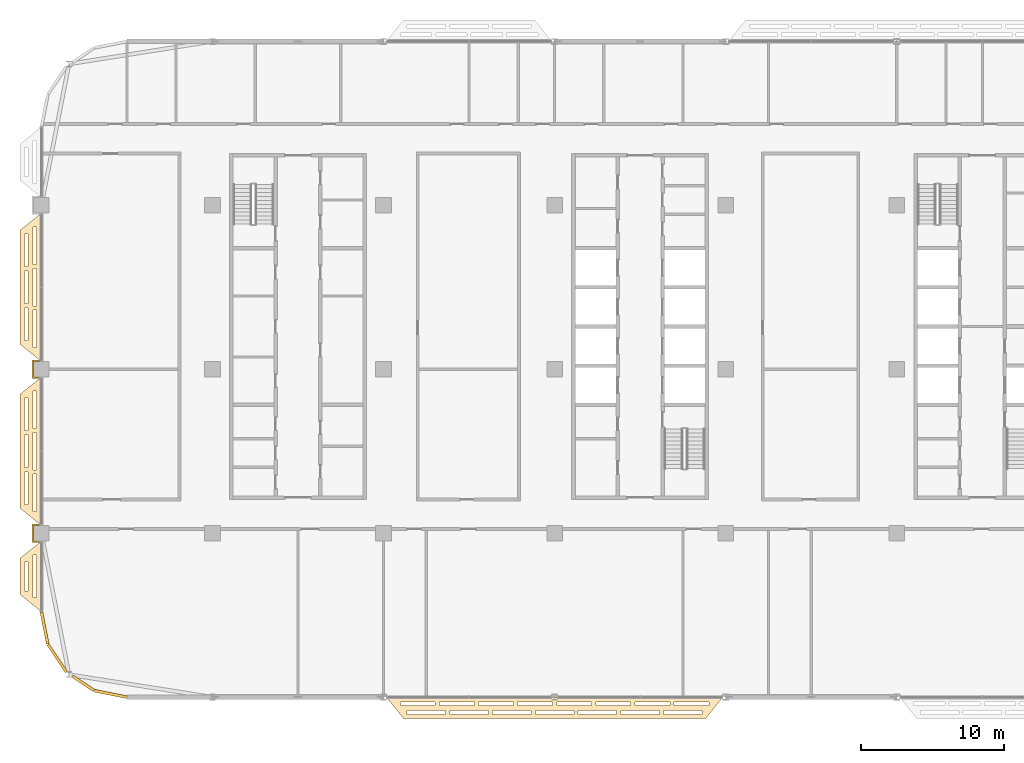
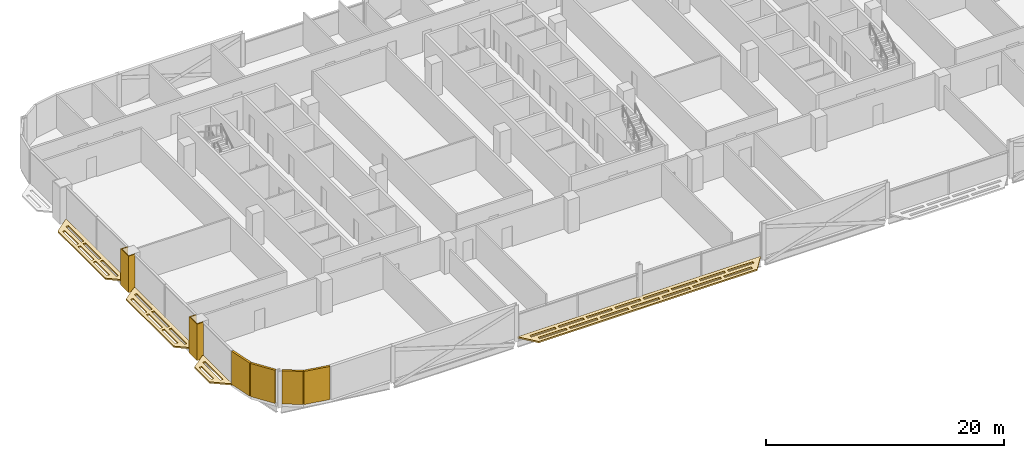
# One storey, part 25 of 30: 10 coverings.
"""IFC4 building model written with IfcOpenShell, lengths in metres."""

from ifc_helpers import new_model, si_unit, direction, frame, origin, origin_2d, place, context, subcontext, project, spatial, polyline, rectangle, outline, extrude, material, layer, layer_set, type_object, element, save


model = new_model("IFC4")

# Units and contexts
model_context = context("Model", 3, precision=1e-05, world=origin(), true_north=direction((0.0, 1.0)))
body_context = subcontext(model_context, "Body", "Model", "MODEL_VIEW")
ifc_project = project(units=[si_unit("LENGTHUNIT", "METRE"), si_unit("AREAUNIT", "SQUARE_METRE"), si_unit("VOLUMEUNIT", "CUBIC_METRE"), si_unit("PLANEANGLEUNIT", "RADIAN"), si_unit("MASSUNIT", "GRAM", prefix="KILO")], contexts=[model_context])

# Site, building, storey
site_placement = place(None, origin())
site = spatial("IfcSite", under=ifc_project, at=site_placement, CompositionType="ELEMENT")
building_placement = place(site_placement, origin())
building = spatial("IfcBuilding", under=site, at=building_placement, Name="Mahtab Terrace Research Tower", CompositionType="ELEMENT")
storey_placement = place(building_placement, frame((0.0, 0.0, 220.5)))
storey = spatial("IfcBuildingStorey", under=building, at=storey_placement, Name="L53", CompositionType="ELEMENT", Elevation=220.5)

# Coverings
ifc_material_1 = material(Name="Black aluminium cladding panel", Category="aluminium")
ifc_layer_1 = layer(ifc_material_1, 0.199951171875)
ifc_layer_set_1 = layer_set([ifc_layer_1], Name="Black metal corner cladding 200")
covering_type_1 = type_object("IfcCoveringType", Name="Black metal corner cladding 200", PredefinedType="CLADDING", material=ifc_layer_set_1)
for number, where, z_axis, x_axis, name in (
    (1, (-41.771484375, -18.14794921875, 0.0), (0.0, 0.0, 1.0), (0.195212442692, -0.980760981187, 0.0), "Corner cladding L53 19"),
    (2, (-40.89306640625, -20.26953125, 0.0), (0.0, 0.0, 1.0), (0.555291490808, -0.831655794326, 0.0), "Corner cladding L53 20"),
):
    element("IfcCovering", number, at=place(storey_placement, frame(where, z_axis=z_axis, x_axis=x_axis)), inside=storey, type_object=covering_type_1, Name=name, PredefinedType="CLADDING", context=body_context, shape_type="SweptSolid", body=[
        extrude(rectangle(XDim=2.30126953125, YDim=0.199951171875, at=origin_2d()), origin(), (0.0, 0.0, 1.0), 3.39990234375),
    ])
covering_1_placement = place(storey_placement, frame((-39.059814453125, -22.032958984375, 0.0), z_axis=(0.0, 0.0, 1.0), x_axis=(0.831655794326, -0.555291490808, 0.0)))
element("IfcCovering", 3, at=covering_1_placement, inside=storey, type_object=covering_type_1, Name="Corner cladding L53 21", PredefinedType="CLADDING", context=body_context, shape_type="SweptSolid", body=[
    extrude(rectangle(XDim=1.797119140625, YDim=0.199951171875, at=origin_2d()), origin(), (0.0, 0.0, 1.0), 3.39990234375),
])
covering_2_placement = place(storey_placement, frame((-37.14794921875, -22.771484375, 0.0), z_axis=(0.0, 0.0, 1.0), x_axis=(0.980760981187, -0.195212442692, 0.0)))
element("IfcCovering", 4, at=covering_2_placement, inside=storey, type_object=covering_type_1, Name="Corner cladding L53 22", PredefinedType="CLADDING", context=body_context, shape_type="SweptSolid", body=[
    extrude(rectangle(XDim=2.30126953125, YDim=0.199951171875, at=origin_2d()), origin(), (0.0, 0.0, 1.0), 3.39990234375),
])
ifc_material_2 = material(Name="Dark anodised aluminium cladding", Category="aluminium")
ifc_layer_2 = layer(ifc_material_2, 0.10009765625)
ifc_layer_set_2 = layer_set([ifc_layer_2], Name="Column casing 100")
covering_type_2 = type_object("IfcCoveringType", Name="Column casing 100", PredefinedType="CLADDING", material=ifc_layer_set_2)
covering_3_placement = place(storey_placement, frame((0.0, 0.0, -0.340087890625)))
element("IfcCovering", 5, at=covering_3_placement, inside=storey, type_object=covering_type_2, Name="Column casing RC-1A L53", PredefinedType="CLADDING", context=body_context, shape_type="SweptSolid", body=[
    extrude(outline(polyline([(-42.64990234375, -10.85009765625), (-42.0, -10.85009765625), (-42.0, -10.949951171875), (-42.550048828125, -10.949951171875), (-42.550048828125, -12.050048828125), (-42.0, -12.050048828125), (-42.0, -12.14990234375), (-42.64990234375, -12.14990234375), (-42.64990234375, -10.85009765625)])), origin(), (0.0, 0.0, 1.0), 3.739990234375),
])
covering_4_placement = place(storey_placement, frame((0.0, 0.0, -0.340087890625)))
element("IfcCovering", 6, at=covering_4_placement, inside=storey, type_object=covering_type_2, Name="Column casing RC-1B L53", PredefinedType="CLADDING", context=body_context, shape_type="SweptSolid", body=[
    extrude(outline(polyline([(-42.64990234375, 0.64990234375), (-42.0, 0.64990234375), (-42.0, 0.550048828125), (-42.550048828125, 0.550048828125), (-42.550048828125, -0.550048828125), (-42.0, -0.550048828125), (-42.0, -0.64990234375), (-42.64990234375, -0.64990234375), (-42.64990234375, 0.64990234375)])), origin(), (0.0, 0.0, 1.0), 3.739990234375),
])
ifc_material_3 = material(Name="Black anodised aluminium", Category="aluminium")
ifc_layer_3 = layer(ifc_material_3, 0.14990234375)
ifc_layer_set_3 = layer_set([ifc_layer_3], Name="Horizontal sunshade band")
covering_type_3 = type_object("IfcCoveringType", Name="Horizontal sunshade band", PredefinedType="CLADDING", material=ifc_layer_set_3)
covering_5_placement = place(storey_placement, frame((0.0, 0.0, -0.14990234375)))
element("IfcCovering", 7, at=covering_5_placement, inside=storey, type_object=covering_type_3, Name="Sunshade band L53 16", PredefinedType="CLADDING", context=body_context, shape_type="SweptSolid", body=[
    extrude(outline(polyline([(-42.0, 10.949951171875), (-42.0, 0.550048828125), (-43.5, 1.75), (-43.5, 9.75), (-42.0, 10.949951171875)]), holes=[polyline([(-42.35009765625, 9.969970703125), (-42.35009765625, 7.35693359375), (-42.60009765625, 7.35693359375), (-42.60009765625, 9.969970703125), (-42.35009765625, 9.969970703125)]), polyline([(-42.35009765625, 7.056884765625), (-42.35009765625, 4.443115234375), (-42.60009765625, 4.443115234375), (-42.60009765625, 7.056884765625), (-42.35009765625, 7.056884765625)]), polyline([(-42.35009765625, 4.14306640625), (-42.35009765625, 1.530029296875), (-42.60009765625, 1.530029296875), (-42.60009765625, 4.14306640625), (-42.35009765625, 4.14306640625)]), polyline([(-42.949951171875, 9.489990234375), (-42.949951171875, 7.197021484375), (-43.199951171875, 7.197021484375), (-43.199951171875, 9.489990234375), (-42.949951171875, 9.489990234375)]), polyline([(-42.949951171875, 6.89697265625), (-42.949951171875, 4.60302734375), (-43.199951171875, 4.60302734375), (-43.199951171875, 6.89697265625), (-42.949951171875, 6.89697265625)]), polyline([(-42.949951171875, 4.302978515625), (-42.949951171875, 2.010009765625), (-43.199951171875, 2.010009765625), (-43.199951171875, 4.302978515625), (-42.949951171875, 4.302978515625)])]), origin(), (0.0, 0.0, 1.0), 0.14990234375),
])
covering_6_placement = place(storey_placement, frame((0.0, 0.0, -0.14990234375)))
element("IfcCovering", 8, at=covering_6_placement, inside=storey, type_object=covering_type_3, Name="Sunshade band L53 17", PredefinedType="CLADDING", context=body_context, shape_type="SweptSolid", body=[
    extrude(outline(polyline([(-42.0, -0.550048828125), (-42.0, -10.949951171875), (-43.5, -9.75), (-43.5, -1.75), (-42.0, -0.550048828125)]), holes=[polyline([(-42.35009765625, -1.530029296875), (-42.35009765625, -4.14306640625), (-42.60009765625, -4.14306640625), (-42.60009765625, -1.530029296875), (-42.35009765625, -1.530029296875)]), polyline([(-42.35009765625, -4.443115234375), (-42.35009765625, -7.056884765625), (-42.60009765625, -7.056884765625), (-42.60009765625, -4.443115234375), (-42.35009765625, -4.443115234375)]), polyline([(-42.35009765625, -7.35693359375), (-42.35009765625, -9.969970703125), (-42.60009765625, -9.969970703125), (-42.60009765625, -7.35693359375), (-42.35009765625, -7.35693359375)]), polyline([(-42.949951171875, -2.010009765625), (-42.949951171875, -4.302978515625), (-43.199951171875, -4.302978515625), (-43.199951171875, -2.010009765625), (-42.949951171875, -2.010009765625)]), polyline([(-42.949951171875, -4.60302734375), (-42.949951171875, -6.89697265625), (-43.199951171875, -6.89697265625), (-43.199951171875, -4.60302734375), (-42.949951171875, -4.60302734375)]), polyline([(-42.949951171875, -7.197021484375), (-42.949951171875, -9.489990234375), (-43.199951171875, -9.489990234375), (-43.199951171875, -7.197021484375), (-42.949951171875, -7.197021484375)])]), origin(), (0.0, 0.0, 1.0), 0.14990234375),
])
covering_7_placement = place(storey_placement, frame((0.0, 0.0, -0.14990234375)))
element("IfcCovering", 9, at=covering_7_placement, inside=storey, type_object=covering_type_3, Name="Sunshade band L53 18", PredefinedType="CLADDING", context=body_context, shape_type="SweptSolid", body=[
    extrude(outline(polyline([(-42.0, -12.050048828125), (-42.0, -17.0), (-43.5, -15.800048828125), (-43.5, -13.25), (-42.0, -12.050048828125)]), holes=[polyline([(-42.35009765625, -13.030029296875), (-42.35009765625, -16.02001953125), (-42.60009765625, -16.02001953125), (-42.60009765625, -13.030029296875), (-42.35009765625, -13.030029296875)]), polyline([(-42.949951171875, -13.510009765625), (-42.949951171875, -15.5400390625), (-43.199951171875, -15.5400390625), (-43.199951171875, -13.510009765625), (-42.949951171875, -13.510009765625)])]), origin(), (0.0, 0.0, 1.0), 0.14990234375),
])
covering_8_placement = place(storey_placement, frame((0.0, 0.0, -0.14990234375)))
element("IfcCovering", 10, at=covering_8_placement, inside=storey, type_object=covering_type_3, Name="Sunshade band L53 25", PredefinedType="CLADDING", context=body_context, shape_type="SweptSolid", body=[
    extrude(outline(polyline([(-17.800048828125, -23.0), (5.800048828125, -23.0), (4.60009765625, -24.5), (-16.60009765625, -24.5), (-17.800048828125, -23.0)]), holes=[polyline([(-16.820068359375, -23.35009765625), (-14.3779296875, -23.35009765625), (-14.3779296875, -23.60009765625), (-16.820068359375, -23.60009765625), (-16.820068359375, -23.35009765625)]), polyline([(-14.077880859375, -23.35009765625), (-11.635009765625, -23.35009765625), (-11.635009765625, -23.60009765625), (-14.077880859375, -23.60009765625), (-14.077880859375, -23.35009765625)]), polyline([(-11.3349609375, -23.35009765625), (-8.89306640625, -23.35009765625), (-8.89306640625, -23.60009765625), (-11.3349609375, -23.60009765625), (-11.3349609375, -23.35009765625)]), polyline([(-8.593017578125, -23.35009765625), (-6.14990234375, -23.35009765625), (-6.14990234375, -23.60009765625), (-8.593017578125, -23.60009765625), (-8.593017578125, -23.35009765625)]), polyline([(-5.85009765625, -23.35009765625), (-3.406982421875, -23.35009765625), (-3.406982421875, -23.60009765625), (-5.85009765625, -23.60009765625), (-5.85009765625, -23.35009765625)]), polyline([(-3.10791015625, -23.35009765625), (-0.6650390625, -23.35009765625), (-0.6650390625, -23.60009765625), (-3.10791015625, -23.60009765625), (-3.10791015625, -23.35009765625)]), polyline([(-0.364990234375, -23.35009765625), (2.077880859375, -23.35009765625), (2.077880859375, -23.60009765625), (-0.364990234375, -23.60009765625), (-0.364990234375, -23.35009765625)]), polyline([(2.376953125, -23.35009765625), (4.820068359375, -23.35009765625), (4.820068359375, -23.60009765625), (2.376953125, -23.60009765625), (2.376953125, -23.35009765625)]), polyline([(-16.340087890625, -23.949951171875), (-13.64306640625, -23.949951171875), (-13.64306640625, -24.199951171875), (-16.340087890625, -24.199951171875), (-16.340087890625, -23.949951171875)]), polyline([(-13.343017578125, -23.949951171875), (-10.64599609375, -23.949951171875), (-10.64599609375, -24.199951171875), (-13.343017578125, -24.199951171875), (-13.343017578125, -23.949951171875)]), polyline([(-10.345947265625, -23.949951171875), (-7.64892578125, -23.949951171875), (-7.64892578125, -24.199951171875), (-10.345947265625, -24.199951171875), (-10.345947265625, -23.949951171875)]), polyline([(-7.34912109375, -23.949951171875), (-4.65087890625, -23.949951171875), (-4.65087890625, -24.199951171875), (-7.34912109375, -24.199951171875), (-7.34912109375, -23.949951171875)]), polyline([(-4.35107421875, -23.949951171875), (-1.654052734375, -23.949951171875), (-1.654052734375, -24.199951171875), (-4.35107421875, -24.199951171875), (-4.35107421875, -23.949951171875)]), polyline([(-1.35400390625, -23.949951171875), (1.343017578125, -23.949951171875), (1.343017578125, -24.199951171875), (-1.35400390625, -24.199951171875), (-1.35400390625, -23.949951171875)]), polyline([(1.64306640625, -23.949951171875), (4.340087890625, -23.949951171875), (4.340087890625, -24.199951171875), (1.64306640625, -24.199951171875), (1.64306640625, -23.949951171875)])]), origin(), (0.0, 0.0, 1.0), 0.14990234375),
])

save(model, "model.ifc")
